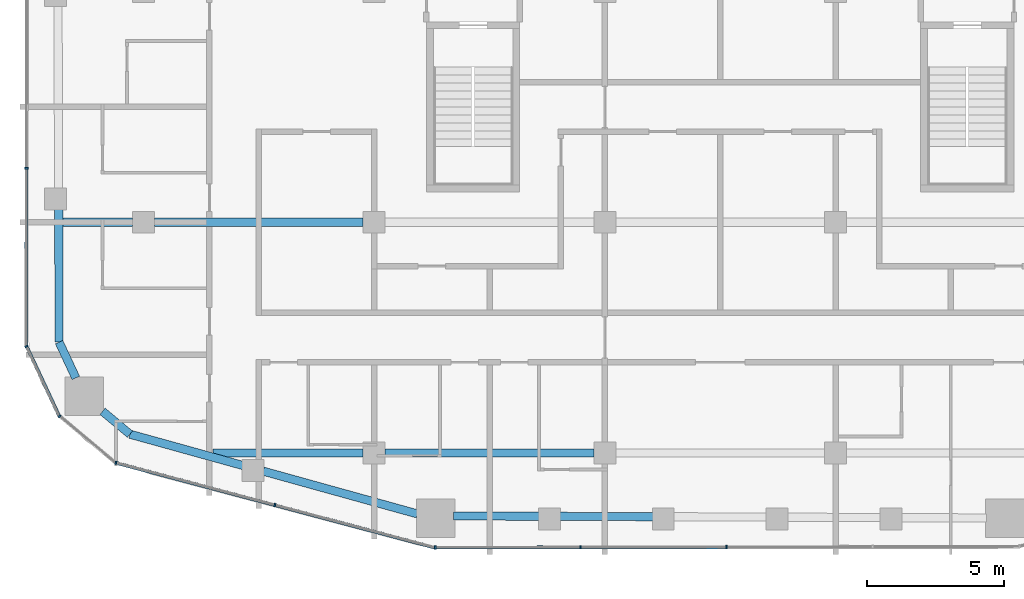
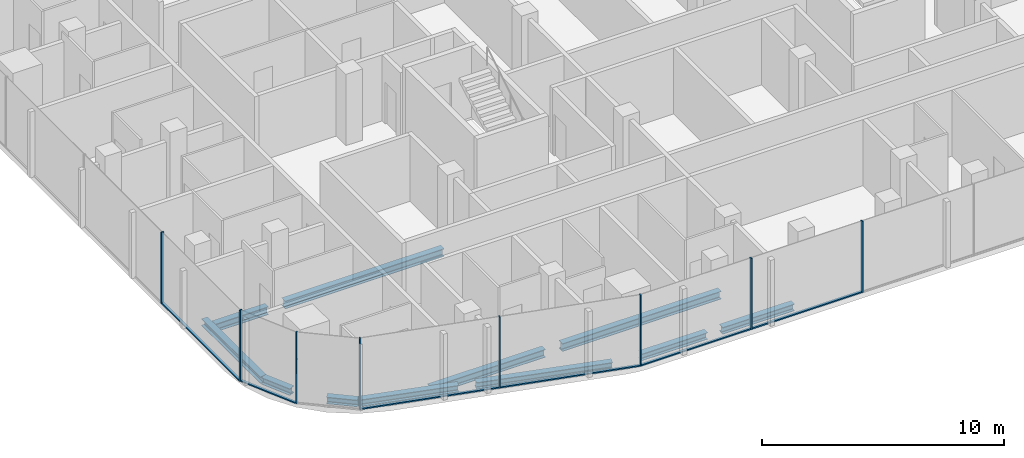
# One storey, part 2 of 22: 14 members, 11 beams, 5 elements without a shape of their own.
"""IFC4 building model written with IfcOpenShell, lengths in metres."""

from ifc_helpers import new_model, si_unit, direction, frame, origin, origin_2d, place, context, subcontext, project, spatial, rectangle, i_section, extrude, material, layer, layer_set, material_profile, profile_set, type_object, element, aggregate, save


model = new_model("IFC4")

# Units and contexts
model_context = context("Model", 3, precision=1e-05, world=origin(), true_north=direction((0.0, 1.0)))
body_context = subcontext(model_context, "Body", "Model", "MODEL_VIEW")
ifc_project = project(units=[si_unit("LENGTHUNIT", "METRE"), si_unit("AREAUNIT", "SQUARE_METRE"), si_unit("VOLUMEUNIT", "CUBIC_METRE"), si_unit("PLANEANGLEUNIT", "RADIAN"), si_unit("MASSUNIT", "GRAM", prefix="KILO")], contexts=[model_context])

# Site, building, storey
site_placement = place(None, origin())
site = spatial("IfcSite", under=ifc_project, at=site_placement, CompositionType="ELEMENT")
building_placement = place(site_placement, origin())
building = spatial("IfcBuilding", under=site, at=building_placement, Name="Marenta Gate Hotel Tower", CompositionType="ELEMENT")
storey_placement = place(building_placement, frame((0.0, 0.0, 194.89990234375)))
storey = spatial("IfcBuildingStorey", under=building, at=storey_placement, Name="L44", CompositionType="ELEMENT", Elevation=194.89990234375)

# Beams
ifc_material_1 = material(Name="Steel S355", Category="steel")
ifc_material_profile_1 = material_profile(ifc_material_1, i_section(OverallWidth=0.300048828125, OverallDepth=0.340087890625, WebThickness=0.011962890625, FlangeThickness=0.021484375, FilletRadius=0.027099609375, at=origin_2d()), Name="HEB 340")
ifc_profile_set_1 = profile_set([ifc_material_profile_1], Name="Steel S355")
beam_type_1 = type_object("IfcBeamType", Name="Edge beam HEB 340", PredefinedType="SPANDREL", material=ifc_profile_set_1)
beam_1_placement = place(storey_placement, frame((-11.02783203125, -27.42236328125, -0.429931640625), z_axis=(-0.963619240724, 0.267278803699, 0.0), x_axis=(-0.267278803699, -0.963619240724, 0.0)))
element("IfcBeam", 1, at=beam_1_placement, inside=storey, type_object=beam_type_1, Name="L44-EB-1", PredefinedType="SPANDREL", context=body_context, shape_type="SweptSolid", body=[
    extrude(i_section(OverallWidth=0.300048828125, OverallDepth=0.340087890625, WebThickness=0.011962890625, FlangeThickness=0.021484375, FilletRadius=0.027099609375, at=origin_2d()), origin(), (0.0, 0.0, 1.0), 5.82958984375),
])
beam_2_placement = place(storey_placement, frame((-17.3681640625, -25.663818359375, -0.429931640625), z_axis=(-0.963628037304, 0.267247087396, 0.0), x_axis=(-0.267247087396, -0.963628037304, 0.0)))
element("IfcBeam", 2, at=beam_2_placement, inside=storey, type_object=beam_type_1, Name="L44-EB-2", PredefinedType="SPANDREL", context=body_context, shape_type="SweptSolid", body=[
    extrude(i_section(OverallWidth=0.300048828125, OverallDepth=0.340087890625, WebThickness=0.011962890625, FlangeThickness=0.021484375, FilletRadius=0.027099609375, at=origin_2d()), origin(), (0.0, 0.0, 1.0), 4.284423828125),
])
beam_3_placement = place(storey_placement, frame((-21.496826171875, -24.518798828125, -0.429931640625), z_axis=(-0.767065103149, 0.641569269472, 0.0), x_axis=(-0.641569269472, -0.767065103149, 0.0)))
element("IfcBeam", 3, at=beam_3_placement, inside=storey, type_object=beam_type_1, Name="L44-EB-3", PredefinedType="SPANDREL", context=body_context, shape_type="SweptSolid", body=[
    extrude(i_section(OverallWidth=0.300048828125, OverallDepth=0.340087890625, WebThickness=0.011962890625, FlangeThickness=0.021484375, FilletRadius=0.027099609375, at=origin_2d()), origin(), (0.0, 0.0, 1.0), 1.299560546875),
])
beam_4_placement = place(storey_placement, frame((-23.466796875, -22.46923828125, -0.429931640625), z_axis=(-0.423341112024, 0.905970365338, 0.0), x_axis=(-0.905970365338, -0.423341112024, 0.0)))
element("IfcBeam", 4, at=beam_4_placement, inside=storey, type_object=beam_type_1, Name="L44-EB-4", PredefinedType="SPANDREL", context=body_context, shape_type="SweptSolid", body=[
    extrude(i_section(OverallWidth=0.300048828125, OverallDepth=0.340087890625, WebThickness=0.011962890625, FlangeThickness=0.021484375, FilletRadius=0.027099609375, at=origin_2d()), origin(), (0.0, 0.0, 1.0), 1.437255859375),
])
beam_5_placement = place(storey_placement, frame((-24.0751953125, -21.167236328125, -0.429931640625), z_axis=(-0.003318732666, 0.999994492992, 0.0), x_axis=(-0.999994492992, -0.003318732666, 0.0)))
element("IfcBeam", 5, at=beam_5_placement, inside=storey, type_object=beam_type_1, Name="L44-EB-5", PredefinedType="SPANDREL", context=body_context, shape_type="SweptSolid", body=[
    extrude(i_section(OverallWidth=0.300048828125, OverallDepth=0.340087890625, WebThickness=0.011962890625, FlangeThickness=0.021484375, FilletRadius=0.027099609375, at=origin_2d()), origin(), (0.0, 0.0, 1.0), 4.855224609375),
])
beam_6_placement = place(storey_placement, frame((-2.433349609375, -27.5234375, -0.429931640625), z_axis=(-0.999992599416, 0.003847221457, 0.0), x_axis=(-0.003847221457, -0.999992599416, 0.0)))
element("IfcBeam", 6, at=beam_6_placement, inside=storey, type_object=beam_type_1, Name="L44-EB-35", PredefinedType="SPANDREL", context=body_context, shape_type="SweptSolid", body=[
    extrude(i_section(OverallWidth=0.300048828125, OverallDepth=0.340087890625, WebThickness=0.011962890625, FlangeThickness=0.021484375, FilletRadius=0.027099609375, at=origin_2d()), origin(), (0.0, 0.0, 1.0), 3.4267578125),
])
beam_7_placement = place(storey_placement, frame((-6.580078125, -27.507568359375, -0.429931640625), z_axis=(-0.99999237665, 0.00390469495, 0.0), x_axis=(-0.00390469495, -0.99999237665, 0.0)))
element("IfcBeam", 7, at=beam_7_placement, inside=storey, type_object=beam_type_1, Name="L44-EB-36", PredefinedType="SPANDREL", context=body_context, shape_type="SweptSolid", body=[
    extrude(i_section(OverallWidth=0.300048828125, OverallDepth=0.340087890625, WebThickness=0.011962890625, FlangeThickness=0.021484375, FilletRadius=0.027099609375, at=origin_2d()), origin(), (0.0, 0.0, 1.0), 3.126220703125),
])
ifc_material_2 = material(Name="Steel S355", Category="steel")
ifc_material_profile_2 = material_profile(ifc_material_2, i_section(OverallWidth=0.300048828125, OverallDepth=0.39990234375, WebThickness=0.013427734375, FlangeThickness=0.02392578125, FilletRadius=0.027099609375, at=origin_2d()), Name="HEB 400")
ifc_profile_set_2 = profile_set([ifc_material_profile_2], Name="Steel S355")
beam_type_2 = type_object("IfcBeamType", Name="Girder HEB 400", PredefinedType="BEAM", material=ifc_profile_set_2)
beam_8_placement = place(storey_placement, frame((-18.479248046875, -25.199951171875, -0.4599609375), z_axis=(1.0, 0.0, 0.0), x_axis=(0.0, 1.0, 0.0)))
element("IfcBeam", 8, at=beam_8_placement, inside=storey, type_object=beam_type_2, Name="L44-GD-1", PredefinedType="BEAM", context=body_context, shape_type="SweptSolid", body=[
    extrude(i_section(OverallWidth=0.300048828125, OverallDepth=0.39990234375, WebThickness=0.013427734375, FlangeThickness=0.02392578125, FilletRadius=0.027099609375, at=origin_2d()), origin(), (0.0, 0.0, 1.0), 5.479248046875),
])
beam_9_placement = place(storey_placement, frame((-12.199951171875, -25.199951171875, -0.4599609375), z_axis=(1.0, 0.0, 0.0), x_axis=(0.0, 1.0, 0.0)))
element("IfcBeam", 9, at=beam_9_placement, inside=storey, type_object=beam_type_2, Name="L44-GD-2", PredefinedType="BEAM", context=body_context, shape_type="SweptSolid", body=[
    extrude(i_section(OverallWidth=0.300048828125, OverallDepth=0.39990234375, WebThickness=0.013427734375, FlangeThickness=0.02392578125, FilletRadius=0.027099609375, at=origin_2d()), origin(), (0.0, 0.0, 1.0), 7.599853515625),
])
beam_10_placement = place(storey_placement, frame((-23.939697265625, -16.800048828125, -0.4599609375), z_axis=(1.0, 0.0, 0.0), x_axis=(0.0, 1.0, 0.0)))
element("IfcBeam", 10, at=beam_10_placement, inside=storey, type_object=beam_type_2, Name="L44-GD-6", PredefinedType="BEAM", context=body_context, shape_type="SweptSolid", body=[
    extrude(i_section(OverallWidth=0.300048828125, OverallDepth=0.39990234375, WebThickness=0.013427734375, FlangeThickness=0.02392578125, FilletRadius=0.027099609375, at=origin_2d()), origin(), (0.0, 0.0, 1.0), 2.539794921875),
])
beam_11_placement = place(storey_placement, frame((-20.60009765625, -16.800048828125, -0.4599609375), z_axis=(1.0, 0.0, 0.0), x_axis=(0.0, 1.0, 0.0)))
element("IfcBeam", 11, at=beam_11_placement, inside=storey, type_object=beam_type_2, Name="L44-GD-7", PredefinedType="BEAM", context=body_context, shape_type="SweptSolid", body=[
    extrude(i_section(OverallWidth=0.300048828125, OverallDepth=0.39990234375, WebThickness=0.013427734375, FlangeThickness=0.02392578125, FilletRadius=0.027099609375, at=origin_2d()), origin(), (0.0, 0.0, 1.0), 7.60009765625),
])

# Curtain wall, member
ifc_material_3 = material(Name="Tinted insulated glass in bronze anodised frame", Category="glass")
ifc_layer = layer(ifc_material_3, 0.1201171875)
ifc_layer_set = layer_set([ifc_layer], Name="Tinted insulated glass in bronze anodised frame")
curtain_wall_type = type_object("IfcCurtainWallType", Name="Tower unitised curtain wall CW1", PredefinedType="NOTDEFINED", material=ifc_layer_set)
curtain_wall_1_placement = place(storey_placement, origin())
curtain_wall_1 = element("IfcCurtainWall", 12, at=curtain_wall_1_placement, inside=storey, type_object=curtain_wall_type, Name="CW1 run G03", PredefinedType="NOTDEFINED")
ifc_material_4 = material(Name="Bronze anodised aluminium", Category="aluminium")
ifc_material_profile_3 = material_profile(ifc_material_4, rectangle(XDim=0.1201171875, YDim=0.06005859375, at=origin_2d()), Name="Mullion CW1 60x120 bronze anodised aluminium")
ifc_profile_set_3 = profile_set([ifc_material_profile_3], Name="Bronze anodised aluminium")
member_type_1 = type_object("IfcMemberType", Name="Mullion CW1 60x120 bronze anodised aluminium", PredefinedType="MULLION", material=ifc_profile_set_3)
member_1_placement = place(storey_placement, frame((-25.262939453125, -14.833740234375, 0.0), z_axis=(0.0, 0.0, 1.0), x_axis=(0.99999877375, -0.001566045546, 0.0)))
member_1 = element("IfcMember", 13, at=member_1_placement, type_object=member_type_1, Name="CW1 mullion 6", PredefinedType="MULLION", context=body_context, shape_type="SweptSolid", body=[
    extrude(rectangle(XDim=0.1201171875, YDim=0.06005859375, at=origin_2d()), origin(), (0.0, 0.0, 1.0), 3.60009765625),
])

curtain_wall_2_placement = place(storey_placement, origin())
curtain_wall_2 = element("IfcCurtainWall", 14, at=curtain_wall_2_placement, inside=storey, type_object=curtain_wall_type, Name="CW1 run G04", PredefinedType="NOTDEFINED")
member_2_placement = place(storey_placement, frame((-25.26025390625, -21.321044921875, 0.0), z_axis=(0.0, 0.0, 1.0), x_axis=(0.905972194447, 0.42333719762, 0.0)))
member_2 = element("IfcMember", 15, at=member_2_placement, type_object=member_type_1, Name="CW1 mullion 1", PredefinedType="MULLION", context=body_context, shape_type="SweptSolid", body=[
    extrude(rectangle(XDim=0.1201171875, YDim=0.06005859375, at=origin_2d()), origin(), (0.0, 0.0, 1.0), 3.60009765625),
])

curtain_wall_3_placement = place(storey_placement, origin())
curtain_wall_3 = element("IfcCurtainWall", 16, at=curtain_wall_3_placement, inside=storey, type_object=curtain_wall_type, Name="CW1 run G05", PredefinedType="NOTDEFINED")
member_3_placement = place(storey_placement, frame((-24.059814453125, -23.85986328125, 0.0), z_axis=(0.0, 0.0, 1.0), x_axis=(0.641524739495, 0.767102345594, 0.0)))
member_3 = element("IfcMember", 17, at=member_3_placement, type_object=member_type_1, Name="CW1 mullion 1", PredefinedType="MULLION", context=body_context, shape_type="SweptSolid", body=[
    extrude(rectangle(XDim=0.1201171875, YDim=0.06005859375, at=origin_2d()), origin(), (0.0, 0.0, 1.0), 3.60009765625),
])
aggregate(curtain_wall_3, [member_3])

# Curtain wall, members
curtain_wall_4_placement = place(storey_placement, origin())
curtain_wall_4 = element("IfcCurtainWall", 18, at=curtain_wall_4_placement, inside=storey, type_object=curtain_wall_type, Name="CW1 run G06", PredefinedType="NOTDEFINED")
member_4_placement = place(storey_placement, frame((-22.00634765625, -25.560791015625, 0.0), z_axis=(0.0, 0.0, 1.0), x_axis=(0.257139197271, 0.966374375295, 0.0)))
member_4 = element("IfcMember", 19, at=member_4_placement, type_object=member_type_1, Name="CW1 mullion 1", PredefinedType="MULLION", context=body_context, shape_type="SweptSolid", body=[
    extrude(rectangle(XDim=0.1201171875, YDim=0.06005859375, at=origin_2d()), origin(), (0.0, 0.0, 1.0), 3.60009765625),
])
member_5_placement = place(storey_placement, frame((-16.220703125, -27.100341796875, 0.0), z_axis=(0.0, 0.0, 1.0), x_axis=(0.257139197271, 0.966374375295, 0.0)))
member_5 = element("IfcMember", 20, at=member_5_placement, type_object=member_type_1, Name="CW1 mullion 2", PredefinedType="MULLION", context=body_context, shape_type="SweptSolid", body=[
    extrude(rectangle(XDim=0.1201171875, YDim=0.06005859375, at=origin_2d()), origin(), (0.0, 0.0, 1.0), 3.60009765625),
])

curtain_wall_5_placement = place(storey_placement, origin())
curtain_wall_5 = element("IfcCurtainWall", 21, at=curtain_wall_5_placement, inside=storey, type_object=curtain_wall_type, Name="CW1 run G07", PredefinedType="NOTDEFINED")
member_6_placement = place(storey_placement, frame((-10.3759765625, -28.6474609375, 0.0), z_axis=(0.0, 0.0, 1.0), x_axis=(-0.001644757804, 0.999998647385, 0.0)))
member_6 = element("IfcMember", 22, at=member_6_placement, type_object=member_type_1, Name="CW1 mullion 1", PredefinedType="MULLION", context=body_context, shape_type="SweptSolid", body=[
    extrude(rectangle(XDim=0.1201171875, YDim=0.06005859375, at=origin_2d()), origin(), (0.0, 0.0, 1.0), 3.60009765625),
])
member_7_placement = place(storey_placement, frame((-5.086181640625, -28.638671875, 0.0), z_axis=(0.0, 0.0, 1.0), x_axis=(-0.001644757804, 0.999998647385, 0.0)))
member_7 = element("IfcMember", 23, at=member_7_placement, type_object=member_type_1, Name="CW1 mullion 2", PredefinedType="MULLION", context=body_context, shape_type="SweptSolid", body=[
    extrude(rectangle(XDim=0.1201171875, YDim=0.06005859375, at=origin_2d()), origin(), (0.0, 0.0, 1.0), 3.60009765625),
])
member_8_placement = place(storey_placement, frame((0.23388671875, -28.6298828125, 0.0), z_axis=(0.0, 0.0, 1.0), x_axis=(-0.001644757804, 0.999998647385, 0.0)))
member_8 = element("IfcMember", 24, at=member_8_placement, type_object=member_type_1, Name="CW1 mullion 3", PredefinedType="MULLION", context=body_context, shape_type="SweptSolid", body=[
    extrude(rectangle(XDim=0.1201171875, YDim=0.06005859375, at=origin_2d()), origin(), (0.0, 0.0, 1.0), 3.60009765625),
])

# Member
ifc_material_5 = material(Name="Bronze anodised aluminium", Category="aluminium")
ifc_material_profile_4 = material_profile(ifc_material_5, rectangle(XDim=0.1201171875, YDim=0.06005859375, at=origin_2d()), Name="Transom CW1 60x120 bronze anodised aluminium")
ifc_profile_set_4 = profile_set([ifc_material_profile_4], Name="Bronze anodised aluminium")
member_type_2 = type_object("IfcMemberType", Name="Transom CW1 60x120 bronze anodised aluminium", PredefinedType="USERDEFINED", material=ifc_profile_set_4)
member_9_placement = place(storey_placement, frame((-25.262939453125, -14.86376953125, 0.030029296875), z_axis=(-0.001556743377, -0.999998788274, 0.0), x_axis=(0.999998788274, -0.001556743377, 0.0)))
member_9 = element("IfcMember", 25, at=member_9_placement, type_object=member_type_2, Name="CW1 transom 6.1", ObjectType="TRANSOM", PredefinedType="USERDEFINED", context=body_context, shape_type="SweptSolid", body=[
    extrude(rectangle(XDim=0.1201171875, YDim=0.06005859375, at=origin_2d()), origin(), (0.0, 0.0, 1.0), 6.429931640625),
])

aggregate(curtain_wall_1, [member_1, member_9])

member_10_placement = place(storey_placement, frame((-25.24755859375, -21.34814453125, 0.030029296875), z_axis=(0.423274054321, -0.906001696984, 0.0), x_axis=(0.906001696984, 0.423274054321, 0.0)))
member_10 = element("IfcMember", 26, at=member_10_placement, type_object=member_type_2, Name="CW1 transom 1.1", ObjectType="TRANSOM", PredefinedType="USERDEFINED", context=body_context, shape_type="SweptSolid", body=[
    extrude(rectangle(XDim=0.1201171875, YDim=0.06005859375, at=origin_2d()), origin(), (0.0, 0.0, 1.0), 2.751220703125),
])

aggregate(curtain_wall_2, [member_2, member_10])

member_11_placement = place(storey_placement, frame((-21.977294921875, -25.568603515625, 0.030029296875), z_axis=(0.966378365457, -0.257124201073, 0.0), x_axis=(0.257124201073, 0.966378365457, 0.0)))
member_11 = element("IfcMember", 27, at=member_11_placement, type_object=member_type_2, Name="CW1 transom 1.1", ObjectType="TRANSOM", PredefinedType="USERDEFINED", context=body_context, shape_type="SweptSolid", body=[
    extrude(rectangle(XDim=0.1201171875, YDim=0.06005859375, at=origin_2d()), origin(), (0.0, 0.0, 1.0), 5.9267578125),
])

member_12_placement = place(storey_placement, frame((-16.191650390625, -27.10791015625, 0.030029296875), z_axis=(0.966371521912, -0.257149920549, 0.0), x_axis=(0.257149920549, 0.966371521912, 0.0)))
member_12 = element("IfcMember", 28, at=member_12_placement, type_object=member_type_2, Name="CW1 transom 2.1", ObjectType="TRANSOM", PredefinedType="USERDEFINED", context=body_context, shape_type="SweptSolid", body=[
    extrude(rectangle(XDim=0.1201171875, YDim=0.06005859375, at=origin_2d()), origin(), (0.0, 0.0, 1.0), 5.987060546875),
])

aggregate(curtain_wall_4, [member_4, member_5, member_11, member_12])

member_13_placement = place(storey_placement, frame((-10.345947265625, -28.6474609375, 0.030029296875), z_axis=(0.999998665295, 0.001633832195, 0.0), x_axis=(-0.001633832195, 0.999998665295, 0.0)))
member_13 = element("IfcMember", 29, at=member_13_placement, type_object=member_type_2, Name="CW1 transom 1.1", ObjectType="TRANSOM", PredefinedType="USERDEFINED", context=body_context, shape_type="SweptSolid", body=[
    extrude(rectangle(XDim=0.1201171875, YDim=0.06005859375, at=origin_2d()), origin(), (0.0, 0.0, 1.0), 5.22998046875),
])

member_14_placement = place(storey_placement, frame((-5.05615234375, -28.638671875, 0.030029296875), z_axis=(0.999998680491, 0.001624504703, 0.0), x_axis=(-0.001624504703, 0.999998680491, 0.0)))
member_14 = element("IfcMember", 30, at=member_14_placement, type_object=member_type_2, Name="CW1 transom 2.1", ObjectType="TRANSOM", PredefinedType="USERDEFINED", context=body_context, shape_type="SweptSolid", body=[
    extrude(rectangle(XDim=0.1201171875, YDim=0.06005859375, at=origin_2d()), origin(), (0.0, 0.0, 1.0), 5.260009765625),
])

aggregate(curtain_wall_5, [member_6, member_7, member_8, member_13, member_14])

save(model, "model.ifc")
